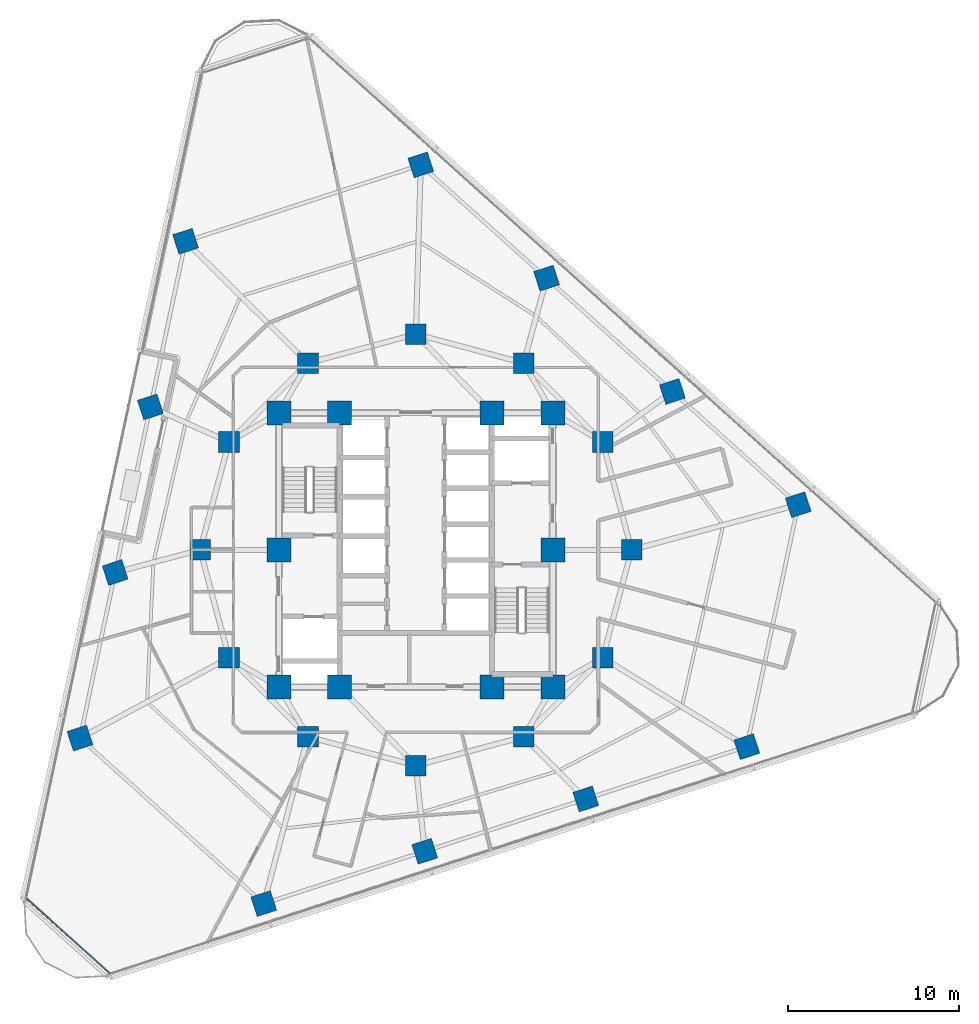
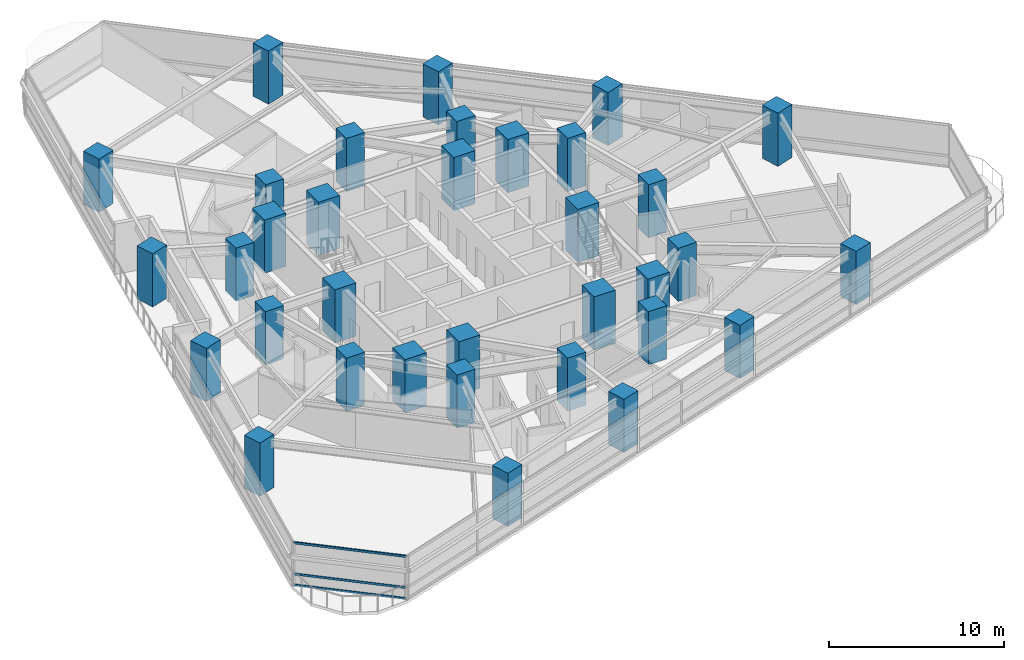
# One storey, part 1 of 14: 34 columns, 3 members, 1 element without a shape of its own.
"""IFC4 building model written with IfcOpenShell, lengths in metres."""

from ifc_helpers import new_model, si_unit, direction, frame, origin, origin_2d, place, context, subcontext, project, spatial, rectangle, extrude, material, layer, layer_set, material_profile, profile_set, type_object, element, aggregate, save


model = new_model("IFC4")

# Units and contexts
model_context = context("Model", 3, precision=1e-05, world=origin(), true_north=direction((0.0, 1.0)))
body_context = subcontext(model_context, "Body", "Model", "MODEL_VIEW")
ifc_project = project(units=[si_unit("LENGTHUNIT", "METRE"), si_unit("AREAUNIT", "SQUARE_METRE"), si_unit("VOLUMEUNIT", "CUBIC_METRE"), si_unit("PLANEANGLEUNIT", "RADIAN"), si_unit("MASSUNIT", "GRAM", prefix="KILO")], contexts=[model_context])

# Site, building, storey
site_placement = place(None, origin())
site = spatial("IfcSite", under=ifc_project, at=site_placement, CompositionType="ELEMENT")
building_placement = place(site_placement, origin())
building = spatial("IfcBuilding", under=site, at=building_placement, Name="Terralouvre Media Tower", CompositionType="ELEMENT")
storey_placement = place(building_placement, frame((0.0, 0.0, 97.699951171875)))
storey = spatial("IfcBuildingStorey", under=building, at=storey_placement, Name="L24", CompositionType="ELEMENT", Elevation=97.699951171875)

# Columns
ifc_material_1 = material(Name="Concrete C60/75", Category="concrete")
ifc_material_profile_1 = material_profile(ifc_material_1, rectangle(XDim=1.199951171875, YDim=1.199951171875, at=origin_2d()), Name="RC 1200x1200")
ifc_profile_set_1 = profile_set([ifc_material_profile_1], Name="Concrete C60/75")
column_type_1 = type_object("IfcColumnType", Name="Structural Column C-RC1200 (RC 1200x1200)", PredefinedType="COLUMN", material=ifc_profile_set_1)
for number, where, z_axis, x_axis, name in (
    (1, (12.60009765625, 0.0, 0.0), (0.0, 0.0, 1.0), (1.0, 0.0, 0.0), "L24 Mega-Frame Column MC01"),
    (2, (10.911865234375, 6.300048828125, 0.0), (0.0, 0.0, 1.0), (1.0, 0.0, 0.0), "L24 Mega-Frame Column MC02"),
    (3, (6.300048828125, 10.911865234375, 0.0), (0.0, 0.0, 1.0), (1.0, 0.0, 0.0), "L24 Mega-Frame Column MC03"),
    (4, (0.0, 12.60009765625, 0.0), (0.0, 0.0, 1.0), (1.0, 0.0, 0.0), "L24 Mega-Frame Column MC04"),
    (5, (-6.300048828125, 10.911865234375, 0.0), (0.0, 0.0, 1.0), (1.0, 0.0, 0.0), "L24 Mega-Frame Column MC05"),
    (6, (-10.911865234375, 6.300048828125, 0.0), (0.0, 0.0, 1.0), (1.0, 0.0, 0.0), "L24 Mega-Frame Column MC06"),
    (7, (-12.60009765625, 0.0, 0.0), (0.0, 0.0, 1.0), (1.0, 0.0, 0.0), "L24 Mega-Frame Column MC07"),
    (8, (-10.911865234375, -6.300048828125, 0.0), (0.0, 0.0, 1.0), (1.0, 0.0, 0.0), "L24 Mega-Frame Column MC08"),
    (9, (-6.300048828125, -10.911865234375, 0.0), (0.0, 0.0, 1.0), (1.0, 0.0, 0.0), "L24 Mega-Frame Column MC09"),
    (10, (0.0, -12.60009765625, 0.0), (0.0, 0.0, 1.0), (1.0, 0.0, 0.0), "L24 Mega-Frame Column MC10"),
    (11, (6.300048828125, -10.911865234375, 0.0), (0.0, 0.0, 1.0), (1.0, 0.0, 0.0), "L24 Mega-Frame Column MC11"),
    (12, (10.911865234375, -6.300048828125, 0.0), (0.0, 0.0, 1.0), (1.0, 0.0, 0.0), "L24 Mega-Frame Column MC12"),
    (13, (-8.883056640625, -20.658203125, 0.0), (0.0, 0.0, 1.0), (0.951056516295, 0.309016994375, 0.0), "L24 Perimeter Mega-Column PC11"),
    (14, (0.52099609375, -17.6025390625, 0.0), (0.0, 0.0, 1.0), (0.951056516295, 0.309016994375, 0.0), "L24 Perimeter Mega-Column PC12"),
    (15, (9.925048828125, -14.547119140625, 0.0), (0.0, 0.0, 1.0), (0.951056516295, 0.309016994375, 0.0), "L24 Perimeter Mega-Column PC13"),
    (16, (19.3291015625, -11.491455078125, 0.0), (0.0, 0.0, 1.0), (0.951056516295, 0.309016994375, 0.0), "L24 Perimeter Mega-Column PC14"),
    (17, (22.33203125, 2.63623046875, 0.0), (0.0, 0.0, 1.0), (0.951056516295, 0.309016994375, 0.0), "L24 Perimeter Mega-Column PC21"),
    (18, (14.98388671875, 9.25244140625, 0.0), (0.0, 0.0, 1.0), (0.951056516295, 0.309016994375, 0.0), "L24 Perimeter Mega-Column PC22"),
    (19, (7.635498046875, 15.868896484375, 0.0), (0.0, 0.0, 1.0), (0.951056516295, 0.309016994375, 0.0), "L24 Perimeter Mega-Column PC23"),
    (20, (0.287353515625, 22.4853515625, 0.0), (0.0, 0.0, 1.0), (0.951056516295, 0.309016994375, 0.0), "L24 Perimeter Mega-Column PC24"),
    (21, (-13.448974609375, 18.02197265625, 0.0), (0.0, 0.0, 1.0), (0.951056516295, 0.309016994375, 0.0), "L24 Perimeter Mega-Column PC31"),
    (22, (-15.5048828125, 8.35009765625, 0.0), (0.0, 0.0, 1.0), (0.951056516295, 0.309016994375, 0.0), "L24 Perimeter Mega-Column PC32"),
    (23, (-17.560791015625, -1.32177734375, 0.0), (0.0, 0.0, 1.0), (0.951056516295, 0.309016994375, 0.0), "L24 Perimeter Mega-Column PC33"),
    (24, (-19.616455078125, -10.99365234375, 0.0), (0.0, 0.0, 1.0), (0.951056516295, 0.309016994375, 0.0), "L24 Perimeter Mega-Column PC34"),
):
    element("IfcColumn", number, at=place(storey_placement, frame(where, z_axis=z_axis, x_axis=x_axis)), inside=storey, type_object=column_type_1, Name=name, PredefinedType="COLUMN", context=body_context, shape_type="SweptSolid", body=[
        extrude(rectangle(XDim=1.199951171875, YDim=1.199951171875, at=origin_2d()), origin(), (0.0, 0.0, 1.0), 3.699951171875),
    ])
ifc_material_2 = material(Name="Concrete C60/75", Category="concrete")
ifc_material_profile_2 = material_profile(ifc_material_2, rectangle(XDim=1.39990234375, YDim=1.39990234375, at=origin_2d()), Name="RC 1400x1400")
ifc_profile_set_2 = profile_set([ifc_material_profile_2], Name="Concrete C60/75")
column_type_2 = type_object("IfcColumnType", Name="Structural Column C-RC1400 (RC 1400x1400)", PredefinedType="COLUMN", material=ifc_profile_set_2)
for number, where, z_axis, x_axis, name in (
    (25, (-8.0, -8.0, 0.0), (0.0, 0.0, 1.0), (1.0, 0.0, 0.0), "L24 Core Pilaster Column CP1"),
    (26, (-4.449951171875, -8.0, 0.0), (0.0, 0.0, 1.0), (1.0, 0.0, 0.0), "L24 Core Pilaster Column CP2"),
    (27, (4.449951171875, -8.0, 0.0), (0.0, 0.0, 1.0), (1.0, 0.0, 0.0), "L24 Core Pilaster Column CP10"),
    (28, (8.0, -8.0, 0.0), (0.0, 0.0, 1.0), (1.0, 0.0, 0.0), "L24 Core Pilaster Column CP3"),
    (29, (8.0, 0.0, 0.0), (0.0, 0.0, 1.0), (1.0, 0.0, 0.0), "L24 Core Pilaster Column CP4"),
    (30, (8.0, 8.0, 0.0), (0.0, 0.0, 1.0), (1.0, 0.0, 0.0), "L24 Core Pilaster Column CP5"),
    (31, (4.449951171875, 8.0, 0.0), (0.0, 0.0, 1.0), (1.0, 0.0, 0.0), "L24 Core Pilaster Column CP9"),
    (32, (-4.449951171875, 8.0, 0.0), (0.0, 0.0, 1.0), (1.0, 0.0, 0.0), "L24 Core Pilaster Column CP6"),
    (33, (-8.0, 8.0, 0.0), (0.0, 0.0, 1.0), (1.0, 0.0, 0.0), "L24 Core Pilaster Column CP7"),
    (34, (-8.0, 0.0, 0.0), (0.0, 0.0, 1.0), (1.0, 0.0, 0.0), "L24 Core Pilaster Column CP8"),
):
    element("IfcColumn", number, at=place(storey_placement, frame(where, z_axis=z_axis, x_axis=x_axis)), inside=storey, type_object=column_type_2, Name=name, PredefinedType="COLUMN", context=body_context, shape_type="SweptSolid", body=[
        extrude(rectangle(XDim=1.39990234375, YDim=1.39990234375, at=origin_2d()), origin(), (0.0, 0.0, 1.0), 3.699951171875),
    ])

# Curtain wall, members
ifc_material_3 = material(Name="Low-iron laminated double glazing with solar-control coating", Category="glass")
ifc_layer = layer(ifc_material_3, 0.1650390625, Name="Rounded Wind-Corner Curved Glazing CW-04")
ifc_layer_set = layer_set([ifc_layer], Name="Low-iron laminated double glazing with solar-control coating")
curtain_wall_type = type_object("IfcCurtainWallType", Name="Rounded Wind-Corner Curved Glazing CW-04", PredefinedType="NOTDEFINED", material=ifc_layer_set)
curtain_wall_placement = place(storey_placement, origin())
curtain_wall = element("IfcCurtainWall", 35, at=curtain_wall_placement, inside=storey, type_object=curtain_wall_type, Name="L24 Rounded Wind-Corner Curtain Wall C0", PredefinedType="NOTDEFINED")
ifc_material_4 = material(Name="Anodised extruded aluminium 6063-T6", Category="aluminium")
ifc_material_profile_3 = material_profile(ifc_material_4, rectangle(XDim=0.074951171875, YDim=0.14990234375, at=origin_2d()), Name="ALU 75x150")
ifc_profile_set_3 = profile_set([ifc_material_profile_3], Name="Anodised extruded aluminium 6063-T6")
member_type = type_object("IfcMemberType", Name="Curtain-Wall Horizontal Transom TR-150", PredefinedType="USERDEFINED", material=ifc_profile_set_3)
member_1_placement = place(storey_placement, frame((-22.74560546875, -20.351806640625, 0.03759765625), z_axis=(0.743146319996, -0.669128946524, 0.0), x_axis=(0.669128946524, 0.743146319996, 0.0)))
member_1 = element("IfcMember", 36, at=member_1_placement, type_object=member_type, Name="CW-04 transom 1.1", ObjectType="TRANSOM", PredefinedType="USERDEFINED", context=body_context, shape_type="SweptSolid", body=[
    extrude(rectangle(XDim=0.074951171875, YDim=0.14990234375, at=origin_2d()), origin(), (0.0, 0.0, 1.0), 6.570556640625),
])
member_2_placement = place(storey_placement, frame((-22.74560546875, -20.351806640625, 0.800048828125), z_axis=(0.743146319996, -0.669128946524, 0.0), x_axis=(0.669128946524, 0.743146319996, 0.0)))
member_2 = element("IfcMember", 37, at=member_2_placement, type_object=member_type, Name="CW-04 transom 1.2", ObjectType="TRANSOM", PredefinedType="USERDEFINED", context=body_context, shape_type="SweptSolid", body=[
    extrude(rectangle(XDim=0.074951171875, YDim=0.14990234375, at=origin_2d()), origin(), (0.0, 0.0, 1.0), 6.570556640625),
])
member_3_placement = place(storey_placement, frame((-22.74560546875, -20.351806640625, 2.962646484375), z_axis=(0.743146319996, -0.669128946524, 0.0), x_axis=(0.669128946524, 0.743146319996, 0.0)))
member_3 = element("IfcMember", 38, at=member_3_placement, type_object=member_type, Name="CW-04 transom 1.3", ObjectType="TRANSOM", PredefinedType="USERDEFINED", context=body_context, shape_type="SweptSolid", body=[
    extrude(rectangle(XDim=0.074951171875, YDim=0.14990234375, at=origin_2d()), origin(), (0.0, 0.0, 1.0), 6.570556640625),
])
aggregate(curtain_wall, [member_1, member_2, member_3])

save(model, "model.ifc")
